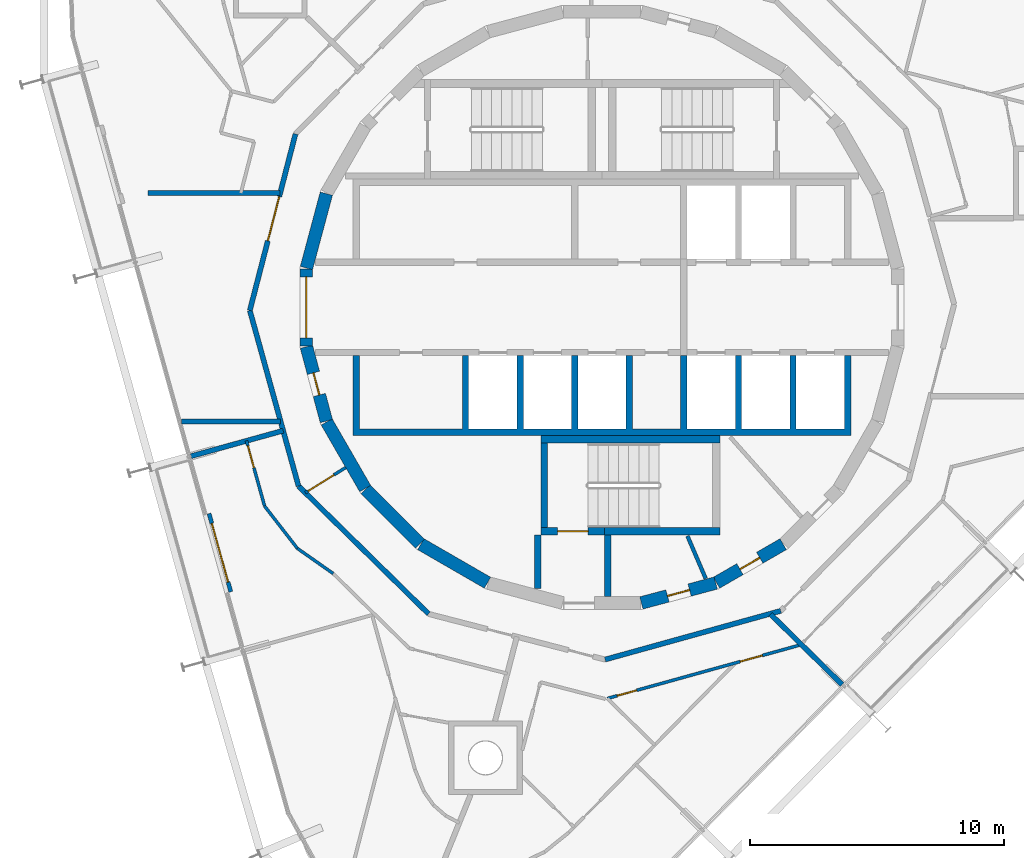
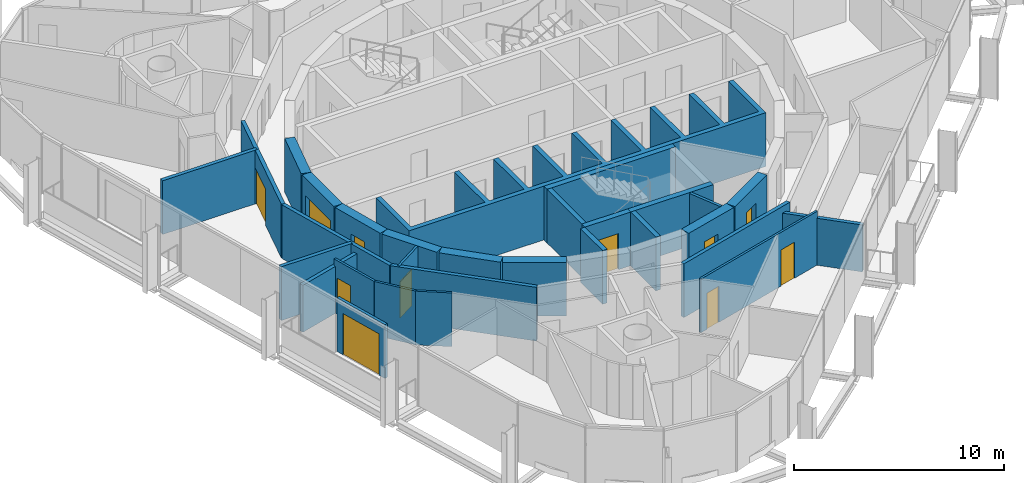
# One storey, part 10 of 16: 30 walls, 11 doors, 11 openings.
"""IFC4 building model written with IfcOpenShell, lengths in metres."""

from ifc_helpers import new_model, si_unit, direction, frame, frame_2d, origin, place, context, subcontext, project, spatial, polyline, rectangle, outline, extrude, material, layer, layer_set, type_object, element, fill, save


model = new_model("IFC4")

# Units and contexts
model_context = context("Model", 3, precision=1e-05, world=origin(), true_north=direction((0.0, 1.0)))
body_context = subcontext(model_context, "Body", "Model", "MODEL_VIEW")
ifc_project = project(units=[si_unit("LENGTHUNIT", "METRE"), si_unit("AREAUNIT", "SQUARE_METRE"), si_unit("VOLUMEUNIT", "CUBIC_METRE"), si_unit("PLANEANGLEUNIT", "RADIAN"), si_unit("MASSUNIT", "GRAM", prefix="KILO")], contexts=[model_context])

# Site, building, storey
site_placement = place(None, origin())
site = spatial("IfcSite", under=ifc_project, at=site_placement, CompositionType="ELEMENT")
building_placement = place(site_placement, origin())
building = spatial("IfcBuilding", under=site, at=building_placement, Name="Spindle Arch Residences", CompositionType="ELEMENT")
storey_placement = place(building_placement, frame((0.0, 0.0, 301.699951171875)))
storey = spatial("IfcBuildingStorey", under=building, at=storey_placement, Name="L77", CompositionType="ELEMENT", Elevation=301.699951171875)

# Wall, opening, door
ifc_material_1 = material(Name="Concrete C50/60", Category="concrete")
ifc_layer_1 = layer(ifc_material_1, 0.5)
ifc_layer_set_1 = layer_set([ifc_layer_1], Name="Core outline wall 500")
wall_type_1 = type_object("IfcWallType", Name="Core outline wall 500", PredefinedType="SHEAR", material=ifc_layer_set_1)
wall_1_placement = place(storey_placement, frame((1.5498046875, -11.642822265625, 0.0), z_axis=(0.0, 0.0, 1.0), x_axis=(0.965948410781, 0.258734743916, 0.0)))
wall_1 = element("IfcWall", 1, at=wall_1_placement, inside=storey, type_object=wall_type_1, Name="Core outline wall 1", PredefinedType="SHEAR", context=body_context, shape_type="SweptSolid", body=[
    extrude(rectangle(XDim=3.03271484375, YDim=0.5, at=frame_2d((1.516357421875, 0.0))), origin(), (0.0, 0.0, 1.0), 3.1201171875),
])
opening_1_placement = place(wall_1_placement, frame((1.06640625, 0.0, 0.0)))
opening_1 = element("IfcOpeningElement", 2, at=opening_1_placement, cuts=wall_1, Name="Opening R8A1-WD08", PredefinedType="OPENING", context=body_context, shape_type="SweptSolid", body=[
    extrude(rectangle(XDim=0.89990234375, YDim=2.10009765625, at=frame_2d((0.449951171875, 1.050048828125))), frame((0.0, 0.260009765625, 0.0), z_axis=(0.0, -1.0, 0.0), x_axis=(1.0, 0.0, 0.0)), (0.0, 0.0, 1.0), 0.52001953125),
])
ifc_material_2 = material(Name="Steel, fire-resisting door", Category="steel")
door_type_1 = type_object("IfcDoorType", Name="Service room door 900x2100", OperationType="SINGLE_SWING_LEFT", PredefinedType="DOOR", material=ifc_material_2)
door_1_placement = place(opening_1_placement, origin())
door_1 = element("IfcDoor", 3, at=door_1_placement, inside=storey, type_object=door_type_1, Name="Service room door R8A1-WD08", OperationType="SINGLE_SWING_RIGHT", OverallHeight=2.10009765625, OverallWidth=0.89990234375, PredefinedType="DOOR", context=body_context, shape_type="SweptSolid", body=[
    extrude(rectangle(XDim=0.89990234375, YDim=2.10009765625, at=frame_2d((0.449951171875, 1.050048828125))), frame((0.0, 0.02490234375, 0.0), z_axis=(0.0, -1.0, 0.0), x_axis=(1.0, 0.0, 0.0)), (0.0, 0.0, 1.0), 0.050048828125),
])
fill(opening_1, door_1)

wall_2_placement = place(storey_placement, frame((4.510498046875, -10.84521484375, 0.0), z_axis=(0.0, 0.0, 1.0), x_axis=(0.865975092491, 0.500087131594, 0.0)))
wall_2 = element("IfcWall", 4, at=wall_2_placement, inside=storey, type_object=wall_type_1, Name="Core outline wall 2", PredefinedType="SHEAR", context=body_context, shape_type="SweptSolid", body=[
    extrude(rectangle(XDim=3.03271484375, YDim=0.5, at=frame_2d((1.516357421875, 0.0))), origin(), (0.0, 0.0, 1.0), 3.1201171875),
])
opening_2_placement = place(wall_2_placement, frame((1.06640625, 0.0, 0.0)))
opening_2 = element("IfcOpeningElement", 5, at=opening_2_placement, cuts=wall_2, Name="Opening R8A1-WD09", PredefinedType="OPENING", context=body_context, shape_type="SweptSolid", body=[
    extrude(rectangle(XDim=0.89990234375, YDim=2.10009765625, at=frame_2d((0.449951171875, 1.050048828125))), frame((0.0, 0.260009765625, 0.0), z_axis=(0.0, -1.0, 0.0), x_axis=(1.0, 0.0, 0.0)), (0.0, 0.0, 1.0), 0.52001953125),
])
door_2_placement = place(opening_2_placement, origin())
door_2 = element("IfcDoor", 6, at=door_2_placement, inside=storey, type_object=door_type_1, Name="Service room door R8A1-WD09", OperationType="SINGLE_SWING_LEFT", OverallHeight=2.10009765625, OverallWidth=0.89990234375, PredefinedType="DOOR", context=body_context, shape_type="SweptSolid", body=[
    extrude(rectangle(XDim=0.89990234375, YDim=2.10009765625, at=frame_2d((0.449951171875, 1.050048828125))), frame((0.0, 0.02490234375, 0.0), z_axis=(0.0, -1.0, 0.0), x_axis=(1.0, 0.0, 0.0)), (0.0, 0.0, 1.0), 0.050048828125),
])
fill(opening_2, door_2)

# Wall
wall_3_placement = place(storey_placement, frame((-10.858154296875, 4.479248046875, 0.0), z_axis=(0.0, 0.0, 1.0), x_axis=(-0.258734743916, -0.965948410781, 0.0)))
element("IfcWall", 7, at=wall_3_placement, inside=storey, type_object=wall_type_1, Name="Core outline wall 17", PredefinedType="SHEAR", context=body_context, shape_type="SweptSolid", body=[
    extrude(rectangle(XDim=3.03271484375, YDim=0.5, at=frame_2d((1.516357421875, 0.0))), origin(), (0.0, 0.0, 1.0), 3.1201171875),
])

# Wall, opening, door
wall_4_placement = place(storey_placement, frame((-11.647216796875, 1.516357421875, 0.0), z_axis=(0.0, 0.0, 1.0), x_axis=(0.0, -1.0, 0.0)))
wall_4 = element("IfcWall", 8, at=wall_4_placement, inside=storey, type_object=wall_type_1, Name="Core outline wall 18", PredefinedType="SHEAR", context=body_context, shape_type="SweptSolid", body=[
    extrude(rectangle(XDim=3.03271484375, YDim=0.5, at=frame_2d((1.516357421875, 0.0))), origin(), (0.0, 0.0, 1.0), 3.1201171875),
])
opening_3_placement = place(wall_4_placement, frame((0.31640625, 0.0, 0.0)))
opening_3 = element("IfcOpeningElement", 9, at=opening_3_placement, cuts=wall_4, Name="Opening R8A1-LE01", PredefinedType="OPENING", context=body_context, shape_type="SweptSolid", body=[
    extrude(rectangle(XDim=2.39990234375, YDim=2.10009765625, at=frame_2d((1.199951171875, 1.050048828125))), frame((0.0, 0.260009765625, 0.0), z_axis=(0.0, -1.0, 0.0), x_axis=(1.0, 0.0, 0.0)), (0.0, 0.0, 1.0), 0.52001953125),
])
ifc_material_3 = material(Name="Steel, fire-resisting door", Category="steel")
door_type_2 = type_object("IfcDoorType", Name="Lift lobby entrance door 2400x2100", OperationType="DOUBLE_DOOR_SINGLE_SWING", PredefinedType="DOOR", material=ifc_material_3)
door_3_placement = place(opening_3_placement, origin())
door_3 = element("IfcDoor", 10, at=door_3_placement, inside=storey, type_object=door_type_2, Name="Lift lobby entrance door R8A1-LE01", OperationType="DOUBLE_DOOR_SINGLE_SWING", OverallHeight=2.10009765625, OverallWidth=2.39990234375, PredefinedType="DOOR", context=body_context, shape_type="SweptSolid", body=[
    extrude(rectangle(XDim=2.39990234375, YDim=2.10009765625, at=frame_2d((1.199951171875, 1.050048828125))), frame((0.0, 0.02490234375, 0.0), z_axis=(0.0, -1.0, 0.0), x_axis=(1.0, 0.0, 0.0)), (0.0, 0.0, 1.0), 0.050048828125),
])
fill(opening_3, door_3)

wall_5_placement = place(storey_placement, frame((-11.642822265625, -1.5498046875, 0.0), z_axis=(0.0, 0.0, 1.0), x_axis=(0.258734743916, -0.965948410781, 0.0)))
wall_5 = element("IfcWall", 11, at=wall_5_placement, inside=storey, type_object=wall_type_1, Name="Core outline wall 19", PredefinedType="SHEAR", context=body_context, shape_type="SweptSolid", body=[
    extrude(rectangle(XDim=3.03271484375, YDim=0.5, at=frame_2d((1.516357421875, 0.0))), origin(), (0.0, 0.0, 1.0), 3.1201171875),
])
opening_4_placement = place(wall_5_placement, frame((1.06640625, 0.0, 0.0)))
opening_4 = element("IfcOpeningElement", 12, at=opening_4_placement, cuts=wall_5, Name="Opening R8A1-WD10", PredefinedType="OPENING", context=body_context, shape_type="SweptSolid", body=[
    extrude(rectangle(XDim=0.89990234375, YDim=2.10009765625, at=frame_2d((0.449951171875, 1.050048828125))), frame((0.0, 0.260009765625, 0.0), z_axis=(0.0, -1.0, 0.0), x_axis=(1.0, 0.0, 0.0)), (0.0, 0.0, 1.0), 0.52001953125),
])
door_4_placement = place(opening_4_placement, origin())
door_4 = element("IfcDoor", 13, at=door_4_placement, inside=storey, type_object=door_type_1, Name="Service room door R8A1-WD10", OperationType="SINGLE_SWING_RIGHT", OverallHeight=2.10009765625, OverallWidth=0.89990234375, PredefinedType="DOOR", context=body_context, shape_type="SweptSolid", body=[
    extrude(rectangle(XDim=0.89990234375, YDim=2.10009765625, at=frame_2d((0.449951171875, 1.050048828125))), frame((0.0, 0.02490234375, 0.0), z_axis=(0.0, -1.0, 0.0), x_axis=(1.0, 0.0, 0.0)), (0.0, 0.0, 1.0), 0.050048828125),
])
fill(opening_4, door_4)

# Walls
wall_6_placement = place(storey_placement, frame((-10.84521484375, -4.510498046875, 0.0), z_axis=(0.0, 0.0, 1.0), x_axis=(0.500087131594, -0.865975092491, 0.0)))
element("IfcWall", 14, at=wall_6_placement, inside=storey, type_object=wall_type_1, Name="Core outline wall 20", PredefinedType="SHEAR", context=body_context, shape_type="SweptSolid", body=[
    extrude(rectangle(XDim=3.03271484375, YDim=0.5, at=frame_2d((1.516357421875, 0.0))), origin(), (0.0, 0.0, 1.0), 3.1201171875),
])
wall_7_placement = place(storey_placement, frame((-9.30810546875, -7.163818359375, 0.0), z_axis=(0.0, 0.0, 1.0), x_axis=(0.707106781187, -0.707106781187, 0.0)))
element("IfcWall", 15, at=wall_7_placement, inside=storey, type_object=wall_type_1, Name="Core outline wall 21", PredefinedType="SHEAR", context=body_context, shape_type="SweptSolid", body=[
    extrude(rectangle(XDim=3.032470703125, YDim=0.5, at=frame_2d((1.51611328125, 0.0))), origin(), (0.0, 0.0, 1.0), 3.1201171875),
])
wall_8_placement = place(storey_placement, frame((-7.13671875, -9.32861328125, 0.0), z_axis=(0.0, 0.0, 1.0), x_axis=(0.865975092491, -0.500087131594, 0.0)))
element("IfcWall", 16, at=wall_8_placement, inside=storey, type_object=wall_type_1, Name="Core outline wall 22", PredefinedType="SHEAR", context=body_context, shape_type="SweptSolid", body=[
    extrude(rectangle(XDim=3.03271484375, YDim=0.5, at=frame_2d((1.516357421875, 0.0))), origin(), (0.0, 0.0, 1.0), 3.1201171875),
])

# Wall, opening, door
ifc_material_4 = material(Name="Plasterboard on steel studs", Category="steel")
ifc_layer_2 = layer(ifc_material_4, 0.1201171875)
ifc_layer_set_2 = layer_set([ifc_layer_2], Name="Corridor division wall 120")
wall_type_2 = type_object("IfcWallType", Name="Corridor division wall 120", PredefinedType="PARTITIONING", material=ifc_layer_set_2)
wall_9_placement = place(storey_placement, frame((-11.686767578125, -7.302734375, 0.0), z_axis=(0.0, 0.0, 1.0), x_axis=(0.848064094072, 0.529893661357, 0.0)))
wall_9 = element("IfcWall", 17, at=wall_9_placement, inside=storey, type_object=wall_type_2, Name="Corridor division wall R8A1-W003", PredefinedType="PARTITIONING", context=body_context, shape_type="SweptSolid", body=[
    extrude(rectangle(XDim=1.876220703125, YDim=0.1201171875, at=frame_2d((0.93798828125, 0.0))), origin(), (0.0, 0.0, 1.0), 3.1201171875),
])
opening_5_placement = place(wall_9_placement, frame((0.125, 0.0, 0.0)))
opening_5 = element("IfcOpeningElement", 18, at=opening_5_placement, cuts=wall_9, Name="Opening R8A1-CD03", PredefinedType="OPENING", context=body_context, shape_type="SweptSolid", body=[
    extrude(rectangle(XDim=1.199951171875, YDim=2.10009765625, at=frame_2d((0.60009765625, 1.050048828125))), frame((0.0, 0.070068359375, 0.0), z_axis=(0.0, -1.0, 0.0), x_axis=(1.0, 0.0, 0.0)), (0.0, 0.0, 1.0), 0.14013671875),
])
ifc_material_5 = material(Name="Steel, fire-resisting door", Category="steel")
door_type_3 = type_object("IfcDoorType", Name="Corridor division door 1200x2100", OperationType="NOTDEFINED", PredefinedType="DOOR", material=ifc_material_5)
door_5_placement = place(opening_5_placement, origin())
door_5 = element("IfcDoor", 19, at=door_5_placement, inside=storey, type_object=door_type_3, Name="Corridor division door R8A1-CD03", OperationType="DOUBLE_DOOR_SINGLE_SWING", OverallHeight=2.10009765625, OverallWidth=1.199951171875, PredefinedType="DOOR", context=body_context, shape_type="SweptSolid", body=[
    extrude(rectangle(XDim=1.199951171875, YDim=2.10009765625, at=frame_2d((0.60009765625, 1.050048828125))), frame((0.0, 0.02490234375, 0.0), z_axis=(0.0, -1.0, 0.0), x_axis=(1.0, 0.0, 0.0)), (0.0, 0.0, 1.0), 0.050048828125),
])
fill(opening_5, door_5)

# Walls
ifc_material_6 = material(Name="Calcium silicate block, plastered")
ifc_layer_3 = layer(ifc_material_6, 0.199951171875)
ifc_layer_set_3 = layer_set([ifc_layer_3], Name="Corridor wall 200")
wall_type_3 = type_object("IfcWallType", Name="Corridor wall 200", PredefinedType="STANDARD", material=ifc_layer_set_3)
wall_10_placement = place(storey_placement, frame((-11.953125, -7.041015625, 0.0), z_axis=(0.0, 0.0, 1.0), x_axis=(0.713250549143, -0.70090916255, 0.0)))
element("IfcWall", 20, at=wall_10_placement, inside=storey, type_object=wall_type_3, Name="Corridor wall R8A1-W013", PredefinedType="STANDARD", context=body_context, shape_type="SweptSolid", body=[
    extrude(rectangle(XDim=7.180908203125, YDim=0.199951171875, at=frame_2d((3.59033203125, 0.0))), origin(), (0.0, 0.0, 1.0), 3.1201171875),
])
wall_11_placement = place(storey_placement, frame((0.12109375, -13.872314453125, 0.0), z_axis=(0.0, 0.0, 1.0), x_axis=(0.963625960674, 0.267254575108, 0.0)))
element("IfcWall", 21, at=wall_11_placement, inside=storey, type_object=wall_type_3, Name="Corridor wall R8A1-W015", PredefinedType="STANDARD", context=body_context, shape_type="SweptSolid", body=[
    extrude(rectangle(XDim=7.18115234375, YDim=0.199951171875, at=frame_2d((3.590576171875, 0.0))), origin(), (0.0, 0.0, 1.0), 3.1201171875),
])

# Wall, opening, door
ifc_material_7 = material(Name="Plasterboard on steel studs", Category="steel")
ifc_layer_4 = layer(ifc_material_7, 0.1201171875)
ifc_layer_set_4 = layer_set([ifc_layer_4], Name="Flat partition 120")
wall_type_4 = type_object("IfcWallType", Name="Flat partition 120", PredefinedType="PARTITIONING", material=ifc_layer_set_4)
wall_12_placement = place(storey_placement, frame((-14.004638671875, -5.25634765625, 0.0), z_axis=(0.0, 0.0, 1.0), x_axis=(0.267200500487, -0.963640956238, 0.0)))
wall_12 = element("IfcWall", 22, at=wall_12_placement, inside=storey, type_object=wall_type_4, Name="Flat partition R8A1-W070", PredefinedType="PARTITIONING", context=body_context, shape_type="SweptSolid", body=[
    extrude(rectangle(XDim=2.669921875, YDim=0.1201171875, at=frame_2d((1.3349609375, 0.0))), origin(), (0.0, 0.0, 1.0), 3.1201171875),
])
opening_6_placement = place(wall_12_placement, frame((0.199951171875, 0.0, 0.0)))
opening_6 = element("IfcOpeningElement", 23, at=opening_6_placement, cuts=wall_12, Name="Opening R8A1-ID12", PredefinedType="OPENING", context=body_context, shape_type="SweptSolid", body=[
    extrude(rectangle(XDim=0.89990234375, YDim=2.10009765625, at=frame_2d((0.449951171875, 1.050048828125))), frame((0.0, 0.070068359375, 0.0), z_axis=(0.0, -1.0, 0.0), x_axis=(1.0, 0.0, 0.0)), (0.0, 0.0, 1.0), 0.14013671875),
])
ifc_material_8 = material(Name="Timber door set", Category="wood")
door_type_4 = type_object("IfcDoorType", Name="Room door 900x2100", OperationType="NOTDEFINED", PredefinedType="DOOR", material=ifc_material_8)
door_6_placement = place(opening_6_placement, origin())
door_6 = element("IfcDoor", 24, at=door_6_placement, inside=storey, type_object=door_type_4, Name="Room door R8A1-ID12", OperationType="SINGLE_SWING_RIGHT", OverallHeight=2.10009765625, OverallWidth=0.89990234375, PredefinedType="DOOR", context=body_context, shape_type="SweptSolid", body=[
    extrude(rectangle(XDim=0.89990234375, YDim=2.10009765625, at=frame_2d((0.449951171875, 1.050048828125))), frame((0.0, 0.02490234375, 0.0), z_axis=(0.0, -1.0, 0.0), x_axis=(1.0, 0.0, 0.0)), (0.0, 0.0, 1.0), 0.050048828125),
])
fill(opening_6, door_6)

# Walls
wall_13_placement = place(storey_placement, frame((-13.291259765625, -7.8291015625, 0.0), z_axis=(0.0, 0.0, 1.0), x_axis=(0.613017069232, -0.790069663277, 0.0)))
element("IfcWall", 25, at=wall_13_placement, inside=storey, type_object=wall_type_4, Name="Flat partition R8A1-W071", PredefinedType="PARTITIONING", context=body_context, shape_type="SweptSolid", body=[
    extrude(rectangle(XDim=2.105712890625, YDim=0.1201171875, at=frame_2d((1.052734375, 0.0))), origin(), (0.0, 0.0, 1.0), 3.1201171875),
])
wall_14_placement = place(storey_placement, frame((-12.00048828125, -9.49267578125, 0.0), z_axis=(0.0, 0.0, 1.0), x_axis=(0.818312362022, -0.57477376259, 0.0)))
element("IfcWall", 26, at=wall_14_placement, inside=storey, type_object=wall_type_4, Name="Flat partition R8A1-W072", PredefinedType="PARTITIONING", context=body_context, shape_type="SweptSolid", body=[
    extrude(rectangle(XDim=1.72314453125, YDim=0.1201171875, at=frame_2d((0.861572265625, 0.0))), origin(), (0.0, 0.0, 1.0), 3.1201171875),
])

# Wall, openings, doors
wall_15_placement = place(storey_placement, frame((0.209716796875, -15.404296875, 0.0), z_axis=(0.0, 0.0, 1.0), x_axis=(0.963630625717, 0.267237754032, 0.0)))
wall_15 = element("IfcWall", 27, at=wall_15_placement, inside=storey, type_object=wall_type_4, Name="Flat partition R8A1-W085", PredefinedType="PARTITIONING", context=body_context, shape_type="SweptSolid", body=[
    extrude(rectangle(XDim=7.906982421875, YDim=0.1201171875, at=frame_2d((3.95361328125, 0.0))), origin(), (0.0, 0.0, 1.0), 3.1201171875),
])
opening_7_placement = place(wall_15_placement, frame((0.39990234375, 0.0, 0.0)))
opening_7 = element("IfcOpeningElement", 28, at=opening_7_placement, cuts=wall_15, Name="Opening R8A1-BD05", PredefinedType="OPENING", context=body_context, shape_type="SweptSolid", body=[
    extrude(rectangle(XDim=0.800048828125, YDim=2.10009765625, at=frame_2d((0.39990234375, 1.050048828125))), frame((0.0, 0.070068359375, 0.0), z_axis=(0.0, -1.0, 0.0), x_axis=(1.0, 0.0, 0.0)), (0.0, 0.0, 1.0), 0.14013671875),
])
opening_8_placement = place(wall_15_placement, frame((5.436279296875, 0.0, 0.0)))
opening_8 = element("IfcOpeningElement", 29, at=opening_8_placement, cuts=wall_15, Name="Opening R8A1-ID17", PredefinedType="OPENING", context=body_context, shape_type="SweptSolid", body=[
    extrude(rectangle(XDim=0.89990234375, YDim=2.10009765625, at=frame_2d((0.449951171875, 1.050048828125))), frame((0.0, 0.070068359375, 0.0), z_axis=(0.0, -1.0, 0.0), x_axis=(1.0, 0.0, 0.0)), (0.0, 0.0, 1.0), 0.14013671875),
])
ifc_material_9 = material(Name="Timber door set", Category="wood")
door_type_5 = type_object("IfcDoorType", Name="Bathroom door 800x2100", OperationType="NOTDEFINED", PredefinedType="DOOR", material=ifc_material_9)
door_7_placement = place(opening_7_placement, origin())
door_7 = element("IfcDoor", 30, at=door_7_placement, inside=storey, type_object=door_type_5, Name="Bathroom door R8A1-BD05", OperationType="SINGLE_SWING_LEFT", OverallHeight=2.10009765625, OverallWidth=0.800048828125, PredefinedType="DOOR", context=body_context, shape_type="SweptSolid", body=[
    extrude(rectangle(XDim=0.800048828125, YDim=2.10009765625, at=frame_2d((0.39990234375, 1.050048828125))), frame((0.0, 0.02490234375, 0.0), z_axis=(0.0, -1.0, 0.0), x_axis=(1.0, 0.0, 0.0)), (0.0, 0.0, 1.0), 0.050048828125),
])
fill(opening_7, door_7)
door_8_placement = place(opening_8_placement, origin())
door_8 = element("IfcDoor", 31, at=door_8_placement, inside=storey, type_object=door_type_4, Name="Room door R8A1-ID17", OperationType="SINGLE_SWING_LEFT", OverallHeight=2.10009765625, OverallWidth=0.89990234375, PredefinedType="DOOR", context=body_context, shape_type="SweptSolid", body=[
    extrude(rectangle(XDim=0.89990234375, YDim=2.10009765625, at=frame_2d((0.449951171875, 1.050048828125))), frame((0.0, 0.02490234375, 0.0), z_axis=(0.0, -1.0, 0.0), x_axis=(1.0, 0.0, 0.0)), (0.0, 0.0, 1.0), 0.050048828125),
])
fill(opening_8, door_8)

# Walls
ifc_material_10 = material(Name="Calcium silicate block, plastered")
ifc_layer_5 = layer(ifc_material_10, 0.199951171875)
ifc_layer_set_5 = layer_set([ifc_layer_5], Name="Flat party wall 200 under beam 2730")
wall_type_5 = type_object("IfcWallType", Name="Flat party wall 200 under beam 2730", PredefinedType="STANDARD", material=ifc_layer_set_5)
wall_16_placement = place(storey_placement, frame((-16.18701171875, -5.861572265625, 0.0), z_axis=(0.0, 0.0, 1.0), x_axis=(0.963631166683, 0.267235803358, 0.0)))
element("IfcWall", 32, at=wall_16_placement, inside=storey, type_object=wall_type_5, Name="Flat party wall R8A1-W028", PredefinedType="STANDARD", context=body_context, shape_type="SweptSolid", body=[
    extrude(rectangle(XDim=3.764892578125, YDim=0.199951171875, at=frame_2d((1.88232421875, 0.0))), origin(), (0.0, 0.0, 1.0), 2.72998046875),
])
wall_17_placement = place(storey_placement, frame((9.4619140625, -14.860595703125, 0.0), z_axis=(0.0, 0.0, 1.0), x_axis=(-0.713276937124, 0.700882308927, 0.0)))
element("IfcWall", 33, at=wall_17_placement, inside=storey, type_object=wall_type_5, Name="Flat party wall R8A1-W031", PredefinedType="STANDARD", context=body_context, shape_type="SweptSolid", body=[
    extrude(rectangle(XDim=3.959228515625, YDim=0.199951171875, at=frame_2d((1.9794921875, 0.0))), origin(), (0.0, 0.0, 1.0), 2.72998046875),
])

# Wall, opening, door
ifc_material_11 = material(Name="Non-combustible mineral wool insulated aluminium faced external wall (K0)", Category="aluminium")
ifc_layer_6 = layer(ifc_material_11, 0.159912109375)
ifc_layer_set_6 = layer_set([ifc_layer_6], Name="Insulated external wall panel 160")
wall_type_6 = type_object("IfcWallType", Name="Insulated external wall panel 160", PredefinedType="STANDARD", material=ifc_layer_set_6)
wall_18_placement = place(storey_placement, frame((-15.47705078125, -8.12158203125, 0.0), z_axis=(0.0, 0.0, 1.0), x_axis=(0.267195229387, -0.963642417805, 0.0)))
wall_18 = element("IfcWall", 34, at=wall_18_placement, inside=storey, type_object=wall_type_6, Name="External wall L77 bay 14", PredefinedType="STANDARD", context=body_context, shape_type="SweptSolid", body=[
    extrude(rectangle(XDim=3.199951171875, YDim=0.159912109375, at=frame_2d((1.60009765625, 0.0))), origin(), (0.0, 0.0, 1.0), 3.1201171875),
])
opening_9_placement = place(wall_18_placement, frame((0.39990234375, 0.0, 0.0)))
opening_9 = element("IfcOpeningElement", 35, at=opening_9_placement, cuts=wall_18, Name="Opening BD14", PredefinedType="OPENING", context=body_context, shape_type="SweptSolid", body=[
    extrude(rectangle(XDim=2.39990234375, YDim=2.39990234375, at=frame_2d((1.199951171875, 1.199951171875))), frame((0.0, 0.08984375, 0.0), z_axis=(0.0, -1.0, 0.0), x_axis=(1.0, 0.0, 0.0)), (0.0, 0.0, 1.0), 0.179931640625),
])
ifc_material_12 = material(Name="Bronze aluminium frame, tinted double glazing", Category="aluminium")
door_type_6 = type_object("IfcDoorType", Name="Sliding glazed balcony door 2400x2400", OperationType="DOUBLE_DOOR_SLIDING", PredefinedType="DOOR", material=ifc_material_12)
door_9_placement = place(opening_9_placement, origin())
door_9 = element("IfcDoor", 36, at=door_9_placement, inside=storey, type_object=door_type_6, Name="Balcony door BD14", OperationType="DOUBLE_DOOR_SLIDING", OverallHeight=2.39990234375, OverallWidth=2.39990234375, PredefinedType="DOOR", context=body_context, shape_type="SweptSolid", body=[
    extrude(rectangle(XDim=2.39990234375, YDim=2.39990234375, at=frame_2d((1.199951171875, 1.199951171875))), frame((0.0, 0.02490234375, 0.0), z_axis=(0.0, -1.0, 0.0), x_axis=(1.0, 0.0, 0.0)), (0.0, 0.0, 1.0), 0.050048828125),
])
fill(opening_9, door_9)

ifc_material_13 = material(Name="Calcium silicate block, plastered")
ifc_layer_7 = layer(ifc_material_13, 0.199951171875)
ifc_layer_set_7 = layer_set([ifc_layer_7], Name="Lift lobby bay wall 200")
wall_type_7 = type_object("IfcWallType", Name="Lift lobby bay wall 200", PredefinedType="STANDARD", material=ifc_layer_set_7)
wall_19_placement = place(storey_placement, frame((-12.07421875, 6.831298828125, 0.0), z_axis=(0.0, 0.0, 1.0), x_axis=(-0.250391063186, -0.968144780225, 0.0)))
wall_19 = element("IfcWall", 37, at=wall_19_placement, inside=storey, type_object=wall_type_7, Name="Lift lobby bay wall R8A1-W010", PredefinedType="STANDARD", context=body_context, shape_type="SweptSolid", body=[
    extrude(rectangle(XDim=7.18115234375, YDim=0.199951171875, at=frame_2d((3.590576171875, 0.0))), origin(), (0.0, 0.0, 1.0), 3.1201171875),
])
opening_10_placement = place(wall_19_placement, frame((2.5478515625, 0.0, 0.0)))
opening_10 = element("IfcOpeningElement", 38, at=opening_10_placement, cuts=wall_19, Name="Opening R8A1-LB01", PredefinedType="OPENING", context=body_context, shape_type="SweptSolid", body=[
    extrude(rectangle(XDim=1.800048828125, YDim=2.10009765625, at=frame_2d((0.89990234375, 1.050048828125))), frame((0.0, 0.10986328125, 0.0), z_axis=(0.0, -1.0, 0.0), x_axis=(1.0, 0.0, 0.0)), (0.0, 0.0, 1.0), 0.219970703125),
])
ifc_material_14 = material(Name="Steel, fire-resisting door", Category="steel")
door_type_7 = type_object("IfcDoorType", Name="Lift lobby bay door 1800x2100", OperationType="NOTDEFINED", PredefinedType="DOOR", material=ifc_material_14)
door_10_placement = place(opening_10_placement, origin())
door_10 = element("IfcDoor", 39, at=door_10_placement, inside=storey, type_object=door_type_7, Name="Lift lobby bay door R8A1-LB01", OperationType="DOUBLE_DOOR_SINGLE_SWING", OverallHeight=2.10009765625, OverallWidth=1.800048828125, PredefinedType="DOOR", context=body_context, shape_type="SweptSolid", body=[
    extrude(rectangle(XDim=1.800048828125, YDim=2.10009765625, at=frame_2d((0.89990234375, 1.050048828125))), frame((0.0, 0.02490234375, 0.0), z_axis=(0.0, -1.0, 0.0), x_axis=(1.0, 0.0, 0.0)), (0.0, 0.0, 1.0), 0.050048828125),
])
fill(opening_10, door_10)

# Walls
wall_20_placement = place(storey_placement, frame((-13.872314453125, -0.12109375, 0.0), z_axis=(0.0, 0.0, 1.0), x_axis=(0.267254575108, -0.963625960674, 0.0)))
element("IfcWall", 40, at=wall_20_placement, inside=storey, type_object=wall_type_7, Name="Lift lobby bay wall R8A1-W011", PredefinedType="STANDARD", context=body_context, shape_type="SweptSolid", body=[
    extrude(rectangle(XDim=7.18115234375, YDim=0.199951171875, at=frame_2d((3.590576171875, 0.0))), origin(), (0.0, 0.0, 1.0), 3.1201171875),
])
wall_21_placement = place(storey_placement, frame((-12.677001953125, 4.5, 0.0), z_axis=(0.0, 0.0, 1.0), x_axis=(-1.0, 0.0, 0.0)))
element("IfcWall", 41, at=wall_21_placement, inside=storey, type_object=wall_type_7, Name="Lift lobby bay wall R8A1-W017", PredefinedType="STANDARD", context=body_context, shape_type="SweptSolid", body=[
    extrude(rectangle(XDim=5.20849609375, YDim=0.199951171875, at=frame_2d((2.604248046875, 0.0))), origin(), (0.0, 0.0, 1.0), 3.1201171875),
])
wall_22_placement = place(storey_placement, frame((-16.564453125, -4.5, 0.0), z_axis=(0.0, 0.0, 1.0), x_axis=(1.0, 0.0, 0.0)))
element("IfcWall", 42, at=wall_22_placement, inside=storey, type_object=wall_type_7, Name="Lift lobby bay wall R8A1-W018", PredefinedType="STANDARD", context=body_context, shape_type="SweptSolid", body=[
    extrude(rectangle(XDim=3.90673828125, YDim=0.199951171875, at=frame_2d((1.953369140625, 0.0))), origin(), (0.0, 0.0, 1.0), 3.1201171875),
])
ifc_material_15 = material(Name="Concrete C50/60", Category="concrete")
wall_type_8 = type_object("IfcWallType", Name="Lift shaft wall profile", PredefinedType="SHEAR", material=ifc_material_15)
wall_23_placement = place(storey_placement, origin())
element("IfcWall", 43, at=wall_23_placement, inside=storey, type_object=wall_type_8, Name="Lift shaft walls S", PredefinedType="SHEAR", context=body_context, shape_type="SweptSolid", body=[
    extrude(outline(polyline([(9.800048828125, -5.050048828125), (9.800048828125, -4.800048828125), (9.800048828125, -1.89990234375), (9.550048828125, -1.89990234375), (9.550048828125, -4.800048828125), (7.64990234375, -4.800048828125), (7.64990234375, -1.89990234375), (7.39990234375, -1.89990234375), (7.39990234375, -4.800048828125), (5.5, -4.800048828125), (5.5, -1.89990234375), (5.25, -1.89990234375), (5.25, -4.800048828125), (3.35009765625, -4.800048828125), (3.35009765625, -1.89990234375), (3.10009765625, -1.89990234375), (3.10009765625, -4.800048828125), (1.199951171875, -4.800048828125), (1.199951171875, -1.89990234375), (0.949951171875, -1.89990234375), (0.949951171875, -4.800048828125), (-0.949951171875, -4.800048828125), (-0.949951171875, -1.89990234375), (-1.199951171875, -1.89990234375), (-1.199951171875, -4.800048828125), (-3.10009765625, -4.800048828125), (-3.10009765625, -1.89990234375), (-3.35009765625, -1.89990234375), (-3.35009765625, -4.800048828125), (-5.25, -4.800048828125), (-5.25, -1.89990234375), (-5.5, -1.89990234375), (-5.5, -4.800048828125), (-9.550048828125, -4.800048828125), (-9.550048828125, -1.89990234375), (-9.800048828125, -1.89990234375), (-9.800048828125, -4.800048828125), (-9.800048828125, -5.050048828125), (9.800048828125, -5.050048828125)])), origin(), (0.0, 0.0, 1.0), 3.1201171875),
])
ifc_material_16 = material(Name="Concrete C25/30", Category="concrete")
ifc_layer_8 = layer(ifc_material_16, 0.14990234375)
ifc_layer_set_8 = layer_set([ifc_layer_8], Name="Service room partition 150")
wall_type_9 = type_object("IfcWallType", Name="Service room partition 150", PredefinedType="PARTITIONING", material=ifc_layer_set_8)
wall_24_placement = place(storey_placement, frame((3.366943359375, -9.0068359375, 0.0), z_axis=(0.0, 0.0, 1.0), x_axis=(0.394387482265, -0.918944238696, 0.0)))
element("IfcWall", 44, at=wall_24_placement, inside=storey, type_object=wall_type_9, Name="Core service room partition", PredefinedType="PARTITIONING", context=body_context, shape_type="SweptSolid", body=[
    extrude(rectangle(XDim=1.824951171875, YDim=0.14990234375, at=frame_2d((0.91259765625, 0.0))), origin(), (0.0, 0.0, 1.0), 3.1201171875),
])
ifc_material_17 = material(Name="Concrete C40/50", Category="concrete")
ifc_layer_9 = layer(ifc_material_17, 0.25)
ifc_layer_set_9 = layer_set([ifc_layer_9], Name="Stair airlock wall 250")
wall_type_10 = type_object("IfcWallType", Name="Stair airlock wall 250", PredefinedType="SHEAR", material=ifc_layer_set_9)
wall_25_placement = place(storey_placement, frame((-2.52490234375, -8.969970703125, 0.0), z_axis=(0.0, 0.0, 1.0), x_axis=(0.0, -1.0, 0.0)))
element("IfcWall", 45, at=wall_25_placement, inside=storey, type_object=wall_type_10, Name="Stair ST-3 airlock wall W", PredefinedType="SHEAR", context=body_context, shape_type="SweptSolid", body=[
    extrude(rectangle(XDim=2.110107421875, YDim=0.25, at=frame_2d((1.05517578125, 0.0))), origin(), (0.0, 0.0, 1.0), 3.1201171875),
])
wall_26_placement = place(storey_placement, frame((0.22509765625, -8.969970703125, 0.0), z_axis=(0.0, 0.0, 1.0), x_axis=(0.0, -1.0, 0.0)))
element("IfcWall", 46, at=wall_26_placement, inside=storey, type_object=wall_type_10, Name="Stair ST-3 airlock wall E", PredefinedType="SHEAR", context=body_context, shape_type="SweptSolid", body=[
    extrude(rectangle(XDim=2.409912109375, YDim=0.25, at=frame_2d((1.205078125, 0.0))), origin(), (0.0, 0.0, 1.0), 3.1201171875),
])
ifc_material_18 = material(Name="Concrete C50/60", Category="concrete")
ifc_layer_10 = layer(ifc_material_18, 0.25)
ifc_layer_set_10 = layer_set([ifc_layer_10], Name="Stair enclosure wall 250")
wall_type_11 = type_object("IfcWallType", Name="Stair enclosure wall 250", PredefinedType="SHEAR", material=ifc_layer_set_10)
wall_27_placement = place(storey_placement, frame((-2.27490234375, -8.669921875, 0.0), z_axis=(0.0, 0.0, 1.0), x_axis=(0.0, 1.0, 0.0)))
element("IfcWall", 47, at=wall_27_placement, inside=storey, type_object=wall_type_11, Name="Stair ST-3 enclosure wall W", PredefinedType="SHEAR", context=body_context, shape_type="SweptSolid", body=[
    extrude(rectangle(XDim=3.31982421875, YDim=0.25, at=frame_2d((1.659912109375, 0.0))), origin(), (0.0, 0.0, 1.0), 3.1201171875),
])
ifc_material_19 = material(Name="Concrete C50/60", Category="concrete")
ifc_layer_11 = layer(ifc_material_19, 0.300048828125)
ifc_layer_set_11 = layer_set([ifc_layer_11], Name="Stair enclosure wall 300")
wall_type_12 = type_object("IfcWallType", Name="Stair enclosure wall 300", PredefinedType="SHEAR", material=ifc_layer_set_11)
wall_28_placement = place(storey_placement, frame((-2.39990234375, -5.199951171875, 0.0), z_axis=(0.0, 0.0, 1.0), x_axis=(1.0, 0.0, 0.0)))
element("IfcWall", 48, at=wall_28_placement, inside=storey, type_object=wall_type_12, Name="Stair ST-3 enclosure wall N", PredefinedType="SHEAR", context=body_context, shape_type="SweptSolid", body=[
    extrude(rectangle(XDim=7.0498046875, YDim=0.300048828125, at=frame_2d((3.52490234375, 0.0))), origin(), (0.0, 0.0, 1.0), 3.1201171875),
])
wall_29_placement = place(storey_placement, frame((0.10009765625, -8.820068359375, 0.0), z_axis=(0.0, 0.0, 1.0), x_axis=(1.0, 0.0, 0.0)))
element("IfcWall", 49, at=wall_29_placement, inside=storey, type_object=wall_type_12, Name="Stair ST-3 enclosure wall S", PredefinedType="SHEAR", context=body_context, shape_type="SweptSolid", body=[
    extrude(rectangle(XDim=4.5498046875, YDim=0.300048828125, at=frame_2d((2.27490234375, 0.0))), origin(), (0.0, 0.0, 1.0), 3.1201171875),
])

# Wall, opening, door
wall_30_placement = place(storey_placement, frame((-2.39990234375, -8.820068359375, 0.0), z_axis=(0.0, 0.0, 1.0), x_axis=(1.0, 0.0, 0.0)))
wall_30 = element("IfcWall", 50, at=wall_30_placement, inside=storey, type_object=wall_type_12, Name="Stair ST-3 door wall", PredefinedType="SHEAR", context=body_context, shape_type="SweptSolid", body=[
    extrude(rectangle(XDim=2.5, YDim=0.300048828125, at=frame_2d((1.25, 0.0))), origin(), (0.0, 0.0, 1.0), 3.1201171875),
])
opening_11_placement = place(wall_30_placement, frame((0.64990234375, 0.0, 0.0)))
opening_11 = element("IfcOpeningElement", 51, at=opening_11_placement, cuts=wall_30, Name="Opening R8A1-SD03", PredefinedType="OPENING", context=body_context, shape_type="SweptSolid", body=[
    extrude(rectangle(XDim=1.199951171875, YDim=2.10009765625, at=frame_2d((0.60009765625, 1.050048828125))), frame((0.0, 0.16015625, 0.0), z_axis=(0.0, -1.0, 0.0), x_axis=(1.0, 0.0, 0.0)), (0.0, 0.0, 1.0), 0.320068359375),
])
ifc_material_20 = material(Name="Steel, fire-resisting door", Category="steel")
door_type_8 = type_object("IfcDoorType", Name="Stair door 1200x2100", OperationType="SINGLE_SWING_RIGHT", PredefinedType="DOOR", material=ifc_material_20)
door_11_placement = place(opening_11_placement, origin())
door_11 = element("IfcDoor", 52, at=door_11_placement, inside=storey, type_object=door_type_8, Name="Stair door R8A1-SD03", OperationType="SINGLE_SWING_LEFT", OverallHeight=2.10009765625, OverallWidth=1.199951171875, PredefinedType="DOOR", context=body_context, shape_type="SweptSolid", body=[
    extrude(rectangle(XDim=1.199951171875, YDim=2.10009765625, at=frame_2d((0.60009765625, 1.050048828125))), frame((0.0, 0.02490234375, 0.0), z_axis=(0.0, -1.0, 0.0), x_axis=(1.0, 0.0, 0.0)), (0.0, 0.0, 1.0), 0.050048828125),
])
fill(opening_11, door_11)

save(model, "model.ifc")
